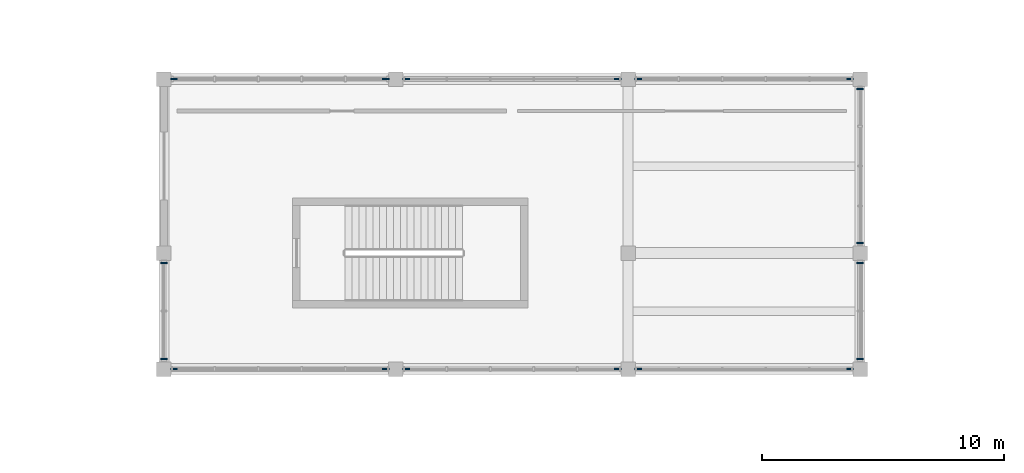
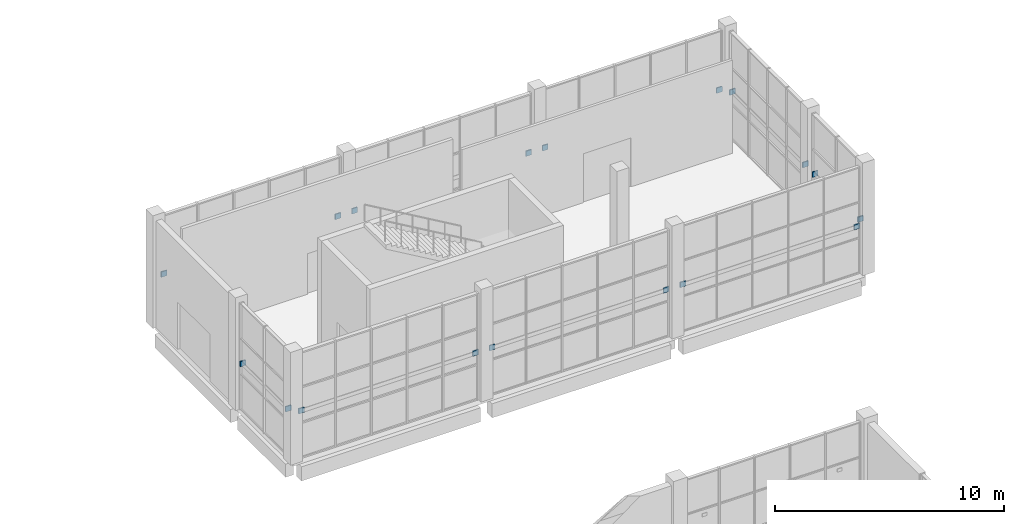
# One storey, part 52 of 84: 18 plates.
"""IFC4 building model written with IfcOpenShell, lengths in metres."""

from ifc_helpers import new_model, si_unit, direction, frame, origin, origin_2d, place, context, subcontext, project, spatial, rectangle, extrude, material, layer, layer_set, type_object, element, save


model = new_model("IFC4")

# Units and contexts
model_context = context("Model", 3, precision=1e-05, world=origin(), true_north=direction((0.0, 1.0)))
body_context = subcontext(model_context, "Body", "Model", "MODEL_VIEW")
ifc_project = project(units=[si_unit("LENGTHUNIT", "METRE"), si_unit("AREAUNIT", "SQUARE_METRE"), si_unit("VOLUMEUNIT", "CUBIC_METRE"), si_unit("PLANEANGLEUNIT", "RADIAN"), si_unit("MASSUNIT", "GRAM", prefix="KILO")], contexts=[model_context])

# Site, building, storey
site_placement = place(None, origin())
site = spatial("IfcSite", under=ifc_project, at=site_placement, CompositionType="ELEMENT")
building_placement = place(site_placement, origin())
building = spatial("IfcBuilding", under=site, at=building_placement, Name="Shalvenor Court Art Gallery", CompositionType="ELEMENT")
storey_placement = place(building_placement, origin())
storey = spatial("IfcBuildingStorey", under=building, at=storey_placement, Name="L00", CompositionType="ELEMENT", Elevation=0.0)

# Plates
ifc_material = material(Name="Steel S355", Category="steel")
ifc_layer = layer(ifc_material, 0.02197265625, Name="Steel S355")
ifc_layer_set = layer_set([ifc_layer], Name="Steel S355")
plate_type = type_object("IfcPlateType", Name="EP-04", PredefinedType="USERDEFINED", material=ifc_layer_set)
for number, where, z_axis, x_axis, name in (
    (1, (48.419921875, 57.60009765625, 2.35986328125), (0.0, 0.0, 1.0), (1.0, 0.0, 0.0), "Cloister Rail End Cap 190"),
    (2, (57.179931640625, 57.60009765625, 2.35986328125), (0.0, 0.0, 1.0), (1.0, 0.0, 0.0), "Cloister Rail End Cap 190"),
    (3, (58.02001953125, 57.60009765625, 2.35986328125), (0.0, 0.0, 1.0), (1.0, 0.0, 0.0), "Cloister Rail End Cap 191"),
    (4, (66.780029296875, 57.60009765625, 2.35986328125), (0.0, 0.0, 1.0), (1.0, 0.0, 0.0), "Cloister Rail End Cap 191"),
    (5, (67.6201171875, 57.60009765625, 2.35986328125), (0.0, 0.0, 1.0), (1.0, 0.0, 0.0), "Cloister Rail End Cap 192"),
    (6, (76.3798828125, 57.60009765625, 2.35986328125), (0.0, 0.0, 1.0), (1.0, 0.0, 0.0), "Cloister Rail End Cap 192"),
    (7, (76.800048828125, 57.179931640625, 2.35986328125), (0.0, 0.0, 1.0), (1.0, 0.0, 0.0), "Cloister Rail End Cap 193"),
    (8, (76.800048828125, 50.820068359375, 2.35986328125), (0.0, 0.0, 1.0), (1.0, 0.0, 0.0), "Cloister Rail End Cap 193"),
    (9, (76.800048828125, 49.97998046875, 2.35986328125), (0.0, 0.0, 1.0), (1.0, 0.0, 0.0), "Cloister Rail End Cap 194"),
    (10, (76.800048828125, 46.02001953125, 2.35986328125), (0.0, 0.0, 1.0), (1.0, 0.0, 0.0), "Cloister Rail End Cap 194"),
    (11, (76.3798828125, 45.60009765625, 2.35986328125), (0.0, 0.0, 1.0), (1.0, 0.0, 0.0), "Cloister Rail End Cap 195"),
    (12, (67.6201171875, 45.60009765625, 2.35986328125), (0.0, 0.0, 1.0), (1.0, 0.0, 0.0), "Cloister Rail End Cap 195"),
    (13, (66.780029296875, 45.60009765625, 2.35986328125), (0.0, 0.0, 1.0), (1.0, 0.0, 0.0), "Cloister Rail End Cap 196"),
    (14, (58.02001953125, 45.60009765625, 2.35986328125), (0.0, 0.0, 1.0), (1.0, 0.0, 0.0), "Cloister Rail End Cap 196"),
    (15, (57.179931640625, 45.60009765625, 2.35986328125), (0.0, 0.0, 1.0), (1.0, 0.0, 0.0), "Cloister Rail End Cap 197"),
    (16, (48.419921875, 45.60009765625, 2.35986328125), (0.0, 0.0, 1.0), (1.0, 0.0, 0.0), "Cloister Rail End Cap 197"),
    (17, (48.0, 46.02001953125, 2.35986328125), (0.0, 0.0, 1.0), (1.0, 0.0, 0.0), "Cloister Rail End Cap 198"),
    (18, (48.0, 49.97998046875, 2.35986328125), (0.0, 0.0, 1.0), (1.0, 0.0, 0.0), "Cloister Rail End Cap 198"),
):
    element("IfcPlate", number, at=place(storey_placement, frame(where, z_axis=z_axis, x_axis=x_axis)), inside=storey, type_object=plate_type, Name=name, ObjectType="STIFFENER PLATE", PredefinedType="USERDEFINED", context=body_context, shape_type="SweptSolid", body=[
        extrude(rectangle(XDim=0.280029296875, YDim=0.06005859375, at=origin_2d()), origin(), (0.0, 0.0, 1.0), 0.280029296875),
    ])

save(model, "model.ifc")
